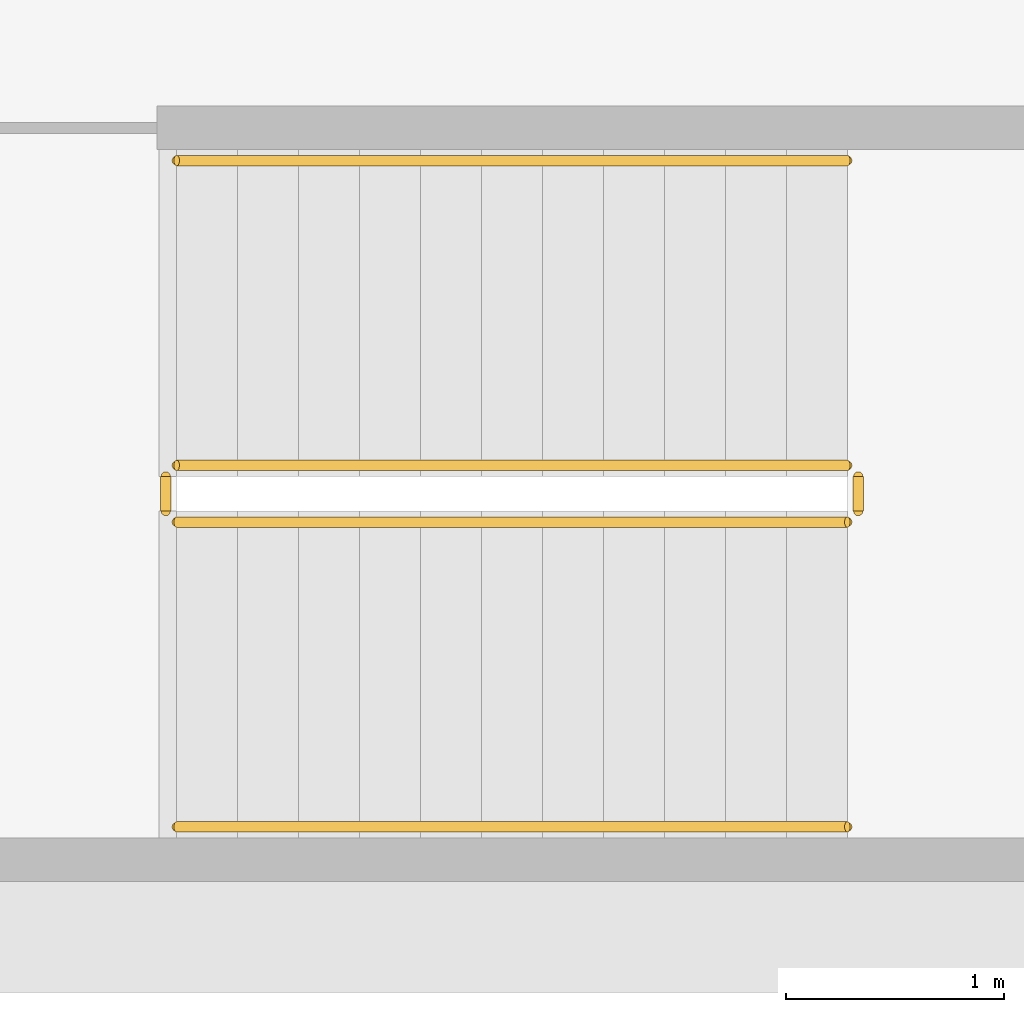
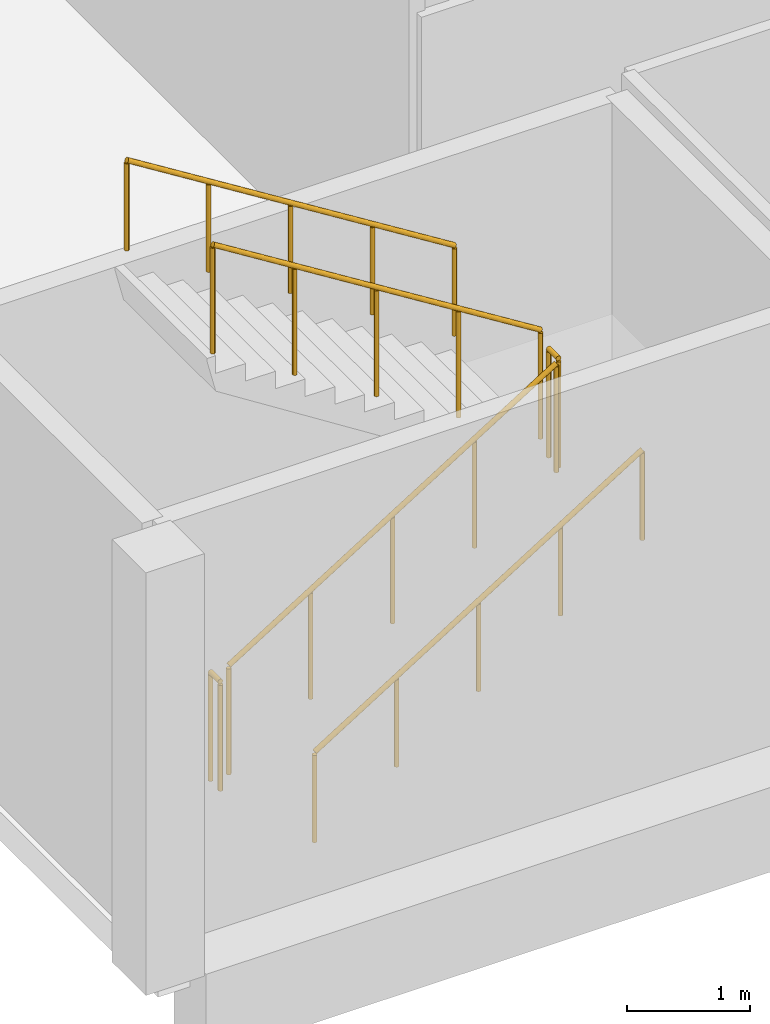
# One storey, part 61 of 67: 6 railings.
"""IFC4 building model written with IfcOpenShell, lengths in metres."""

from ifc_helpers import new_model, si_unit, direction, frame, origin, origin_2d, place, context, subcontext, project, spatial, circle, extrude, material, type_object, element, save


model = new_model("IFC4")

# Units and contexts
model_context = context("Model", 3, precision=1e-05, world=origin(), true_north=direction((0.0, 1.0)))
body_context = subcontext(model_context, "Body", "Model", "MODEL_VIEW")
ifc_project = project(units=[si_unit("LENGTHUNIT", "METRE"), si_unit("AREAUNIT", "SQUARE_METRE"), si_unit("VOLUMEUNIT", "CUBIC_METRE"), si_unit("PLANEANGLEUNIT", "RADIAN"), si_unit("MASSUNIT", "GRAM", prefix="KILO")], contexts=[model_context])

# Site, building, storey
site_placement = place(None, origin())
site = spatial("IfcSite", under=ifc_project, at=site_placement, CompositionType="ELEMENT")
building_placement = place(site_placement, origin())
building = spatial("IfcBuilding", under=site, at=building_placement, Name="Ciguamira Faculty of Natural Sciences", CompositionType="ELEMENT")
storey_placement = place(building_placement, frame((0.0, 0.0, 8.39990234375)))
storey = spatial("IfcBuildingStorey", under=building, at=storey_placement, Name="L02", CompositionType="ELEMENT", Elevation=8.39990234375)

# Railings
ifc_material_1 = material(Name="Stainless steel balustrade", Category="steel")
railing_type_1 = type_object("IfcRailingType", Name="Guardrail_GR01", PredefinedType="GUARDRAIL", material=ifc_material_1)
railing_1_placement = place(storey_placement, frame((59.06005859375, 46.89990234375, 0.175048828125)))
element("IfcRailing", 1, at=railing_1_placement, inside=storey, type_object=railing_type_1, Name="L02 ST-W1 stair guard 1", PredefinedType="GUARDRAIL", context=body_context, shape_type="SweptSolid", body=[
    extrude(circle(Radius=0.02392578125, at=origin_2d()), frame((0.0, 0.0, 1.076171875), z_axis=(0.847979421464, 0.0, 0.530029150871), x_axis=(0.0, 1.0, 0.0)), (0.0, 0.0, 1.0), 3.632080078125),
    extrude(circle(Radius=0.02099609375, at=origin_2d()), origin(), (0.0, 0.0, 1.0), 1.052001953125),
    extrude(circle(Radius=0.02099609375, at=origin_2d()), frame((0.77001953125, 0.0, 0.481201171875)), (0.0, 0.0, 1.0), 1.052001953125),
    extrude(circle(Radius=0.02099609375, at=origin_2d()), frame((1.5400390625, 0.0, 0.96240234375)), (0.0, 0.0, 1.0), 1.052001953125),
    extrude(circle(Radius=0.02099609375, at=origin_2d()), frame((2.309814453125, 0.0, 1.44384765625)), (0.0, 0.0, 1.0), 1.052001953125),
    extrude(circle(Radius=0.02099609375, at=origin_2d()), frame((3.079833984375, 0.0, 1.925048828125)), (0.0, 0.0, 1.0), 1.052001953125),
])
railing_2_placement = place(storey_placement, frame((62.18994140625, 46.949951171875, 2.10009765625)))
element("IfcRailing", 2, at=railing_2_placement, inside=storey, type_object=railing_type_1, Name="L02 ST-W1 stair guard 2", PredefinedType="GUARDRAIL", context=body_context, shape_type="SweptSolid", body=[
    extrude(circle(Radius=0.02392578125, at=origin_2d()), frame((0.0, 0.0, 1.076171875), z_axis=(0.0, 1.0, 0.0), x_axis=(-1.0, 0.0, 0.0)), (0.0, 0.0, 1.0), 0.16015625),
    extrude(circle(Radius=0.02099609375, at=origin_2d()), origin(), (0.0, 0.0, 1.0), 1.052001953125),
    extrude(circle(Radius=0.02099609375, at=origin_2d()), frame((0.0, 0.16015625, 0.0)), (0.0, 0.0, 1.0), 1.052001953125),
])
railing_3_placement = place(storey_placement, frame((62.139892578125, 47.159912109375, 2.275146484375)))
element("IfcRailing", 3, at=railing_3_placement, inside=storey, type_object=railing_type_1, Name="L02 ST-W1 stair guard 3", PredefinedType="GUARDRAIL", context=body_context, shape_type="SweptSolid", body=[
    extrude(circle(Radius=0.02392578125, at=origin_2d()), frame((0.0, 0.0, 1.076171875), z_axis=(-0.847979421464, 0.0, 0.530029150871), x_axis=(0.0, -1.0, 0.0)), (0.0, 0.0, 1.0), 3.632080078125),
    extrude(circle(Radius=0.02099609375, at=origin_2d()), origin(), (0.0, 0.0, 1.0), 1.052001953125),
    extrude(circle(Radius=0.02099609375, at=origin_2d()), frame((-0.77001953125, 0.0, 0.481201171875)), (0.0, 0.0, 1.0), 1.052001953125),
    extrude(circle(Radius=0.02099609375, at=origin_2d()), frame((-1.5400390625, 0.0, 0.96240234375)), (0.0, 0.0, 1.0), 1.052001953125),
    extrude(circle(Radius=0.02099609375, at=origin_2d()), frame((-2.309814453125, 0.0, 1.44384765625)), (0.0, 0.0, 1.0), 1.052001953125),
    extrude(circle(Radius=0.02099609375, at=origin_2d()), frame((-3.079833984375, 0.0, 1.925048828125)), (0.0, 0.0, 1.0), 1.052001953125),
])
railing_4_placement = place(storey_placement, frame((59.010009765625, 46.949951171875, 0.0)))
element("IfcRailing", 4, at=railing_4_placement, inside=storey, type_object=railing_type_1, Name="L02 ST-W1 stair guard 4", PredefinedType="GUARDRAIL", context=body_context, shape_type="SweptSolid", body=[
    extrude(circle(Radius=0.02392578125, at=origin_2d()), frame((0.0, 0.0, 1.076171875), z_axis=(0.0, 1.0, 0.0), x_axis=(-1.0, 0.0, 0.0)), (0.0, 0.0, 1.0), 0.16015625),
    extrude(circle(Radius=0.02099609375, at=origin_2d()), origin(), (0.0, 0.0, 1.0), 1.052001953125),
    extrude(circle(Radius=0.02099609375, at=origin_2d()), frame((0.0, 0.16015625, 0.0)), (0.0, 0.0, 1.0), 1.052001953125),
])
ifc_material_2 = material(Name="Stainless steel handrail", Category="steel")
railing_type_2 = type_object("IfcRailingType", Name="Handrail_HR01", PredefinedType="HANDRAIL", material=ifc_material_2)
railing_5_placement = place(storey_placement, frame((59.06005859375, 45.5, 0.35009765625)))
element("IfcRailing", 5, at=railing_5_placement, inside=storey, type_object=railing_type_2, Name="L02 ST-W1 stair handrail 1", PredefinedType="HANDRAIL", context=body_context, shape_type="SweptSolid", body=[
    extrude(circle(Radius=0.02392578125, at=origin_2d()), frame((0.0, 0.0, 0.89111328125), z_axis=(0.847979421464, 0.0, 0.530029150871), x_axis=(0.0, 1.0, 0.0)), (0.0, 0.0, 1.0), 3.632080078125),
    extrude(circle(Radius=0.02099609375, at=origin_2d()), origin(), (0.0, 0.0, 1.0), 0.866943359375),
    extrude(circle(Radius=0.02099609375, at=origin_2d()), frame((0.77001953125, 0.0, 0.481201171875)), (0.0, 0.0, 1.0), 0.866943359375),
    extrude(circle(Radius=0.02099609375, at=origin_2d()), frame((1.5400390625, 0.0, 0.96240234375)), (0.0, 0.0, 1.0), 0.866943359375),
    extrude(circle(Radius=0.02099609375, at=origin_2d()), frame((2.309814453125, 0.0, 1.44384765625)), (0.0, 0.0, 1.0), 0.866943359375),
    extrude(circle(Radius=0.02099609375, at=origin_2d()), frame((3.079833984375, 0.0, 1.925048828125)), (0.0, 0.0, 1.0), 0.866943359375),
])
railing_6_placement = place(storey_placement, frame((62.139892578125, 48.56005859375, 2.4501953125)))
element("IfcRailing", 6, at=railing_6_placement, inside=storey, type_object=railing_type_2, Name="L02 ST-W1 stair handrail 2", PredefinedType="HANDRAIL", context=body_context, shape_type="SweptSolid", body=[
    extrude(circle(Radius=0.02392578125, at=origin_2d()), frame((0.0, 0.0, 0.89111328125), z_axis=(-0.848009633417, 0.0, 0.529980812513), x_axis=(0.0, -1.0, 0.0)), (0.0, 0.0, 1.0), 3.6318359375),
    extrude(circle(Radius=0.02099609375, at=origin_2d()), origin(), (0.0, 0.0, 1.0), 0.866943359375),
    extrude(circle(Radius=0.02099609375, at=origin_2d()), frame((-0.77001953125, 0.0, 0.481201171875)), (0.0, 0.0, 1.0), 0.866943359375),
    extrude(circle(Radius=0.02099609375, at=origin_2d()), frame((-1.5400390625, 0.0, 0.96240234375)), (0.0, 0.0, 1.0), 0.866943359375),
    extrude(circle(Radius=0.02099609375, at=origin_2d()), frame((-2.309814453125, 0.0, 1.443603515625)), (0.0, 0.0, 1.0), 0.866943359375),
    extrude(circle(Radius=0.02099609375, at=origin_2d()), frame((-3.079833984375, 0.0, 1.9248046875)), (0.0, 0.0, 1.0), 0.866943359375),
])

save(model, "model.ifc")
